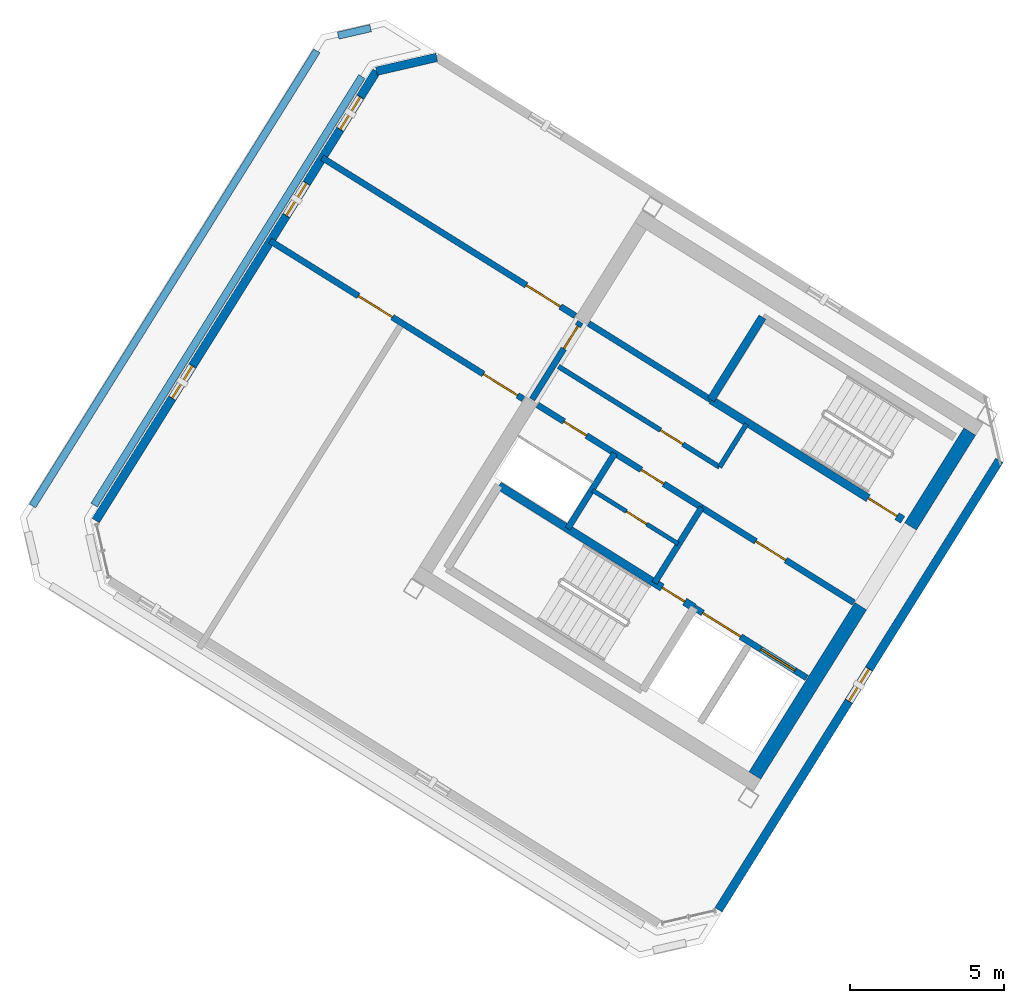
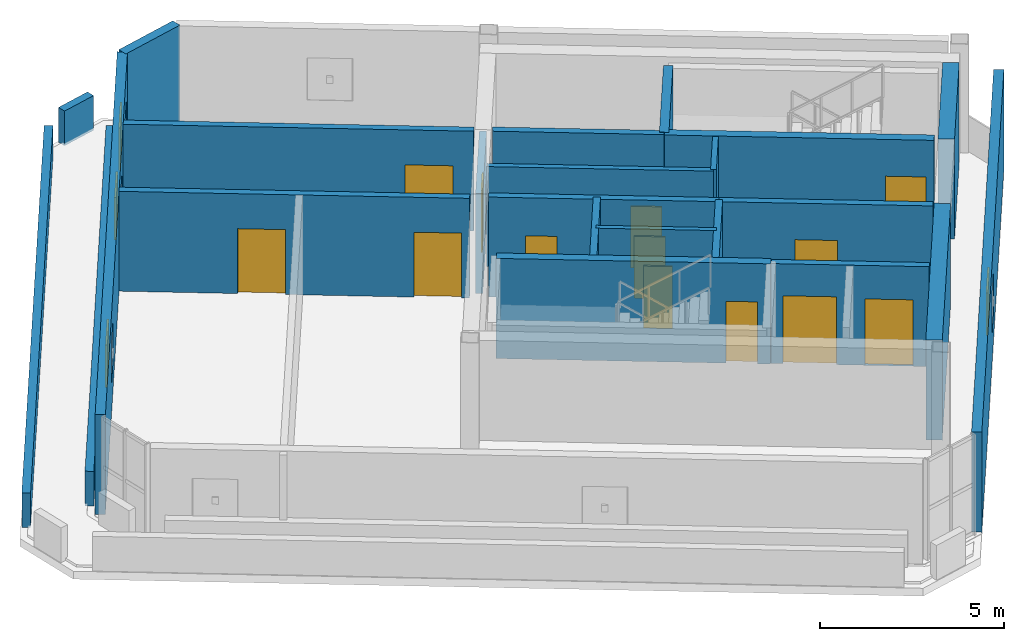
# One storey, part 5 of 8: 23 walls, 13 doors, 4 windows, 17 openings.
"""IFC4 building model written with IfcOpenShell, lengths in metres."""

from ifc_helpers import new_model, si_unit, direction, frame, frame_2d, origin, place, context, subcontext, project, spatial, rectangle, extrude, source, transform, mapped, material, layer, layer_set, type_object, element, fill, save


model = new_model("IFC4")

# Units and contexts
model_context = context("Model", 3, precision=1e-05, world=origin(), true_north=direction((0.0, 1.0)))
body_context = subcontext(model_context, "Body", "Model", "MODEL_VIEW")
ifc_project = project(units=[si_unit("LENGTHUNIT", "METRE"), si_unit("AREAUNIT", "SQUARE_METRE"), si_unit("VOLUMEUNIT", "CUBIC_METRE"), si_unit("PLANEANGLEUNIT", "RADIAN"), si_unit("MASSUNIT", "GRAM", prefix="KILO")], contexts=[model_context])

# Site, building, storey
site_placement = place(None, origin())
site = spatial("IfcSite", under=ifc_project, at=site_placement, CompositionType="ELEMENT")
building_placement = place(site_placement, origin())
building = spatial("IfcBuilding", under=site, at=building_placement, Name="Tlacorven Tower", CompositionType="ELEMENT")
storey_placement = place(building_placement, frame((0.0, 0.0, 302.39990234375)))
storey = spatial("IfcBuildingStorey", under=building, at=storey_placement, Name="L77", CompositionType="ELEMENT", Elevation=302.39990234375)

# Walls
ifc_material_1 = material(Name="Concrete C50/60", Category="concrete")
ifc_layer_1 = layer(ifc_material_1, 0.449951171875)
ifc_layer_set_1 = layer_set([ifc_layer_1], Name="Concrete C50/60")
wall_type_1 = type_object("IfcWallType", Name="WL-COR-450", PredefinedType="SHEAR", material=ifc_layer_set_1)
wall_1_placement = place(storey_placement, frame((40.220703125, 23.96484375, 0.0), z_axis=(0.0, 0.0, 1.0), x_axis=(-0.529902075036, -0.848058836916, 0.0)))
element("IfcWall", 1, at=wall_1_placement, inside=storey, type_object=wall_type_1, Name="L77 W core end wall E1.1", PredefinedType="SHEAR", context=body_context, shape_type="SweptSolid", body=[
    extrude(rectangle(XDim=3.625, YDim=0.449951171875, at=frame_2d((1.8125, 0.0))), origin(), (0.0, 0.0, 1.0), 3.320068359375),
])
wall_2_placement = place(storey_placement, frame((36.683349609375, 18.30419921875, 0.0), z_axis=(0.0, 0.0, 1.0), x_axis=(-0.529904039071, -0.848057609704, 0.0)))
element("IfcWall", 2, at=wall_2_placement, inside=storey, type_object=wall_type_1, Name="L77 W core end wall E1.2", PredefinedType="SHEAR", context=body_context, shape_type="SweptSolid", body=[
    extrude(rectangle(XDim=6.47509765625, YDim=0.449951171875, at=frame_2d((3.237548828125, 0.0))), origin(), (0.0, 0.0, 1.0), 3.320068359375),
])

# Wall, opening, door
ifc_material_2 = material(Name="Gypsum plasterboard acoustic partition", Category="gypsum")
ifc_layer_2 = layer(ifc_material_2, 0.159912109375)
ifc_layer_set_2 = layer_set([ifc_layer_2], Name="Gypsum plasterboard acoustic partition")
wall_type_2 = type_object("IfcWallType", Name="WL-DEM-160", PredefinedType="PARTITIONING", material=ifc_layer_set_2)
wall_3_placement = place(storey_placement, frame((32.108154296875, 22.81396484375, 0.0), z_axis=(0.0, 0.0, 1.0), x_axis=(-0.848047283855, 0.529920564185, 0.0)))
wall_3 = element("IfcWall", 3, at=wall_3_placement, inside=storey, type_object=wall_type_2, Name="L77 partition 11", PredefinedType="PARTITIONING", context=body_context, shape_type="SweptSolid", body=[
    extrude(rectangle(XDim=6.16015625, YDim=0.159912109375, at=frame_2d((3.080078125, 0.0))), origin(), (0.0, 0.0, 1.0), 3.31005859375),
])
opening_1_placement = place(wall_3_placement, frame((1.39990234375, 0.0, 0.0)))
opening_1 = element("IfcOpeningElement", 4, at=opening_1_placement, cuts=wall_3, Name="Opening D19", PredefinedType="OPENING", context=body_context, shape_type="SweptSolid", body=[
    extrude(rectangle(XDim=0.860107421875, YDim=2.050048828125, at=frame_2d((0.43017578125, 1.02490234375))), frame((0.0, 0.08984375, 0.0), z_axis=(0.0, -1.0, 0.0), x_axis=(1.0, 0.0, 0.0)), (0.0, 0.0, 1.0), 0.179931640625),
])
ifc_material_3 = material(Name="Fire-rated steel door assembly", Category="steel")
door_type_1 = type_object("IfcDoorType", Name="DR-RSR-FD60-0860", OperationType="NOTDEFINED", PredefinedType="DOOR", material=ifc_material_3)
shared_shape_1 = source(origin(), body_context, "Body", "SweptSolid", [
    extrude(rectangle(XDim=0.860107421875, YDim=2.050048828125, at=frame_2d((0.43017578125, 1.02490234375))), frame((0.0, 0.02490234375, 0.0), z_axis=(0.0, -1.0, 0.0), x_axis=(1.0, 0.0, 0.0)), (0.0, 0.0, 1.0), 0.050048828125),
])
door_1_placement = place(opening_1_placement, origin())
door_1 = element("IfcDoor", 5, at=door_1_placement, inside=storey, type_object=door_type_1, Name="L77 Freed Core Store Door", OperationType="SINGLE_SWING_RIGHT", OverallHeight=2.050048828125, OverallWidth=0.860107421875, PredefinedType="DOOR", context=body_context, shape_type="MappedRepresentation", body=[
    mapped(shared_shape_1, transform((0.0, 0.0, 0.0), scale=1.0)),
])
fill(opening_1, door_1)

# Wall
wall_4_placement = place(storey_placement, frame((32.982421875, 24.21337890625, 0.0), z_axis=(0.0, 0.0, 1.0), x_axis=(-0.529839334948, -0.84809803628, 0.0)))
element("IfcWall", 6, at=wall_4_placement, inside=storey, type_object=wall_type_2, Name="L77 partition 12", PredefinedType="PARTITIONING", context=body_context, shape_type="SweptSolid", body=[
    extrude(rectangle(XDim=1.650146484375, YDim=0.159912109375, at=frame_2d((0.8251953125, 0.0))), origin(), (0.0, 0.0, 1.0), 3.31005859375),
])

# Wall, opening, window
ifc_material_4 = material(Name="Precast concrete C45/55", Category="concrete")
ifc_layer_3 = layer(ifc_material_4, 0.280029296875)
ifc_layer_set_3 = layer_set([ifc_layer_3], Name="Precast concrete C45/55")
wall_type_3 = type_object("IfcWallType", Name="WL-EXT-280", PredefinedType="STANDARD", material=ifc_layer_set_3)
wall_5_placement = place(storey_placement, frame((41.181640625, 23.03076171875, 0.0), z_axis=(0.0, 0.0, 1.0), x_axis=(-0.529918482735, -0.84804858449, 0.0)))
wall_5 = element("IfcWall", 7, at=wall_5_placement, inside=storey, type_object=wall_type_3, Name="L77 Masonry-Frame Recessed Facade Wall 1", PredefinedType="STANDARD", context=body_context, shape_type="SweptSolid", body=[
    extrude(rectangle(XDim=17.18408203125, YDim=0.280029296875, at=frame_2d((8.592041015625, 0.0))), origin(), (0.0, 0.0, 1.0), 3.320068359375),
])
opening_2_placement = place(wall_5_placement, frame((7.967041015625, 0.0, 0.949951171875)))
opening_2 = element("IfcOpeningElement", 8, at=opening_2_placement, cuts=wall_5, Name="Opening WN20", PredefinedType="OPENING", context=body_context, shape_type="SweptSolid", body=[
    extrude(rectangle(XDim=1.25, YDim=1.39990234375, at=frame_2d((0.625, 0.699951171875))), frame((0.0, 0.14990234375, 0.0), z_axis=(0.0, -1.0, 0.0), x_axis=(1.0, 0.0, 0.0)), (0.0, 0.0, 1.0), 0.300048828125),
])
ifc_material_5 = material(Name="Dark solar low-E double glazing in anodised aluminium frame", Category="aluminium")
window_type = type_object("IfcWindowType", Name="WN-CRN-1250X1500", PartitioningType="SINGLE_PANEL", PredefinedType="WINDOW", material=ifc_material_5)
shared_shape_2 = source(origin(), body_context, "Body", "SweptSolid", [
    extrude(rectangle(XDim=1.25, YDim=1.39990234375, at=frame_2d((0.625, 0.699951171875))), frame((0.0, 0.030029296875, 0.0), z_axis=(0.0, -1.0, 0.0), x_axis=(1.0, 0.0, 0.0)), (0.0, 0.0, 1.0), 0.06005859375),
])
window_1_placement = place(opening_2_placement, origin())
window_1 = element("IfcWindow", 9, at=window_1_placement, inside=storey, type_object=window_type, Name="L77 Acoustic Plant Facade Window 1.1", OverallHeight=1.39990234375, OverallWidth=1.25, PartitioningType="SINGLE_PANEL", PredefinedType="WINDOW", context=body_context, shape_type="MappedRepresentation", body=[
    mapped(shared_shape_2, transform((0.0, 0.0, 0.0), scale=1.0)),
])
fill(opening_2, window_1)

# Wall, openings, windows
wall_6_placement = place(storey_placement, frame((11.875, 21.08056640625, 0.0), z_axis=(0.0, 0.0, 1.0), x_axis=(0.529924867514, 0.848044594812, 0.0)))
wall_6 = element("IfcWall", 10, at=wall_6_placement, inside=storey, type_object=wall_type_3, Name="L77 Masonry-Frame Recessed Facade Wall 3", PredefinedType="STANDARD", context=body_context, shape_type="SweptSolid", body=[
    extrude(rectangle(XDim=17.183837890625, YDim=0.280029296875, at=frame_2d((8.591796875, 0.0))), origin(), (0.0, 0.0, 1.0), 3.320068359375),
])
opening_3_placement = place(wall_6_placement, frame((4.6708984375, 0.0, 0.949951171875)))
opening_3 = element("IfcOpeningElement", 11, at=opening_3_placement, cuts=wall_6, Name="Opening WN20", PredefinedType="OPENING", context=body_context, shape_type="SweptSolid", body=[
    extrude(rectangle(XDim=1.25, YDim=1.39990234375, at=frame_2d((0.625, 0.699951171875))), frame((0.0, 0.14990234375, 0.0), z_axis=(0.0, -1.0, 0.0), x_axis=(1.0, 0.0, 0.0)), (0.0, 0.0, 1.0), 0.300048828125),
])
opening_4_placement = place(wall_6_placement, frame((11.656982421875, 0.0, 0.949951171875)))
opening_4 = element("IfcOpeningElement", 12, at=opening_4_placement, cuts=wall_6, Name="Opening WN20", PredefinedType="OPENING", context=body_context, shape_type="SweptSolid", body=[
    extrude(rectangle(XDim=1.25, YDim=1.39990234375, at=frame_2d((0.625, 0.699951171875))), frame((0.0, 0.14990234375, 0.0), z_axis=(0.0, -1.0, 0.0), x_axis=(1.0, 0.0, 0.0)), (0.0, 0.0, 1.0), 0.300048828125),
])
opening_5_placement = place(wall_6_placement, frame((14.952880859375, 0.0, 0.949951171875)))
opening_5 = element("IfcOpeningElement", 13, at=opening_5_placement, cuts=wall_6, Name="Opening WN20", PredefinedType="OPENING", context=body_context, shape_type="SweptSolid", body=[
    extrude(rectangle(XDim=1.25, YDim=1.39990234375, at=frame_2d((0.625, 0.699951171875))), frame((0.0, 0.14990234375, 0.0), z_axis=(0.0, -1.0, 0.0), x_axis=(1.0, 0.0, 0.0)), (0.0, 0.0, 1.0), 0.300048828125),
])
window_2_placement = place(opening_3_placement, origin())
window_2 = element("IfcWindow", 14, at=window_2_placement, inside=storey, type_object=window_type, Name="L77 Acoustic Plant Facade Window 3.1", OverallHeight=1.39990234375, OverallWidth=1.25, PartitioningType="SINGLE_PANEL", PredefinedType="WINDOW", context=body_context, shape_type="MappedRepresentation", body=[
    mapped(shared_shape_2, transform((0.0, 0.0, 0.0), scale=1.0)),
])
fill(opening_3, window_2)
window_3_placement = place(opening_4_placement, origin())
window_3 = element("IfcWindow", 15, at=window_3_placement, inside=storey, type_object=window_type, Name="L77 Acoustic Plant Facade Window 3.2", OverallHeight=1.39990234375, OverallWidth=1.25, PartitioningType="SINGLE_PANEL", PredefinedType="WINDOW", context=body_context, shape_type="MappedRepresentation", body=[
    mapped(shared_shape_2, transform((0.0, 0.0, 0.0), scale=1.0)),
])
fill(opening_4, window_3)
window_4_placement = place(opening_5_placement, origin())
window_4 = element("IfcWindow", 16, at=window_4_placement, inside=storey, type_object=window_type, Name="L77 Acoustic Plant Facade Window 3.3", OverallHeight=1.39990234375, OverallWidth=1.25, PartitioningType="SINGLE_PANEL", PredefinedType="WINDOW", context=body_context, shape_type="MappedRepresentation", body=[
    mapped(shared_shape_2, transform((0.0, 0.0, 0.0), scale=1.0)),
])
fill(opening_5, window_4)

# Walls
wall_7_placement = place(storey_placement, frame((20.981201171875, 35.6533203125, 0.0), z_axis=(0.0, 0.0, 1.0), x_axis=(0.974360407225, 0.224992881738, 0.0)))
element("IfcWall", 17, at=wall_7_placement, inside=storey, type_object=wall_type_3, Name="L77 Masonry-Frame Recessed Facade Wall 4", PredefinedType="STANDARD", context=body_context, shape_type="SweptSolid", body=[
    extrude(rectangle(XDim=2.00537109375, YDim=0.280029296875, at=frame_2d((1.002685546875, 0.0))), origin(), (0.0, 0.0, 1.0), 3.320068359375),
])
ifc_layer_4 = layer(ifc_material_4, 0.239990234375)
ifc_layer_set_4 = layer_set([ifc_layer_4], Name="Precast concrete C45/55")
wall_type_4 = type_object("IfcWallType", Name="WL-PAR-240", PredefinedType="PARAPET", material=ifc_layer_set_4)
wall_8_placement = place(storey_placement, frame((9.823974609375, 21.553466796875, 0.0), z_axis=(0.0, 0.0, 1.0), x_axis=(0.529923289052, 0.848045581157, 0.0)))
element("IfcWall", 18, at=wall_8_placement, inside=storey, type_object=wall_type_4, Name="L77 Stepped Crown Terrace Parapet 1 4", PredefinedType="PARAPET", context=body_context, shape_type="SweptSolid", body=[
    extrude(rectangle(XDim=17.405517578125, YDim=0.239990234375, at=frame_2d((8.70263671875, 0.0))), origin(), (0.0, 0.0, 1.0), 1.150146484375),
])
wall_9_placement = place(storey_placement, frame((19.739501953125, 36.807861328125, 0.0), z_axis=(0.0, 0.0, 1.0), x_axis=(0.974395015602, 0.224842953123, 0.0)))
element("IfcWall", 19, at=wall_9_placement, inside=storey, type_object=wall_type_4, Name="L77 Stepped Crown Terrace Parapet 1 5", PredefinedType="PARAPET", context=body_context, shape_type="SweptSolid", body=[
    extrude(rectangle(XDim=1.0771484375, YDim=0.239990234375, at=frame_2d((0.53857421875, 0.0))), origin(), (0.0, 0.0, 1.0), 1.150146484375),
])
wall_10_placement = place(storey_placement, frame((20.507080078125, 35.479736328125, 0.0), z_axis=(0.0, 0.0, 1.0), x_axis=(-0.529914569967, -0.848051029442, 0.0)))
element("IfcWall", 20, at=wall_10_placement, inside=storey, type_object=wall_type_4, Name="L77 Stepped Crown Terrace Parapet 1 6", PredefinedType="PARAPET", context=body_context, shape_type="SweptSolid", body=[
    extrude(rectangle(XDim=16.38720703125, YDim=0.239990234375, at=frame_2d((8.193603515625, 0.0))), origin(), (0.0, 0.0, 1.0), 1.150146484375),
])

# Wall, opening, door
ifc_material_6 = material(Name="Moisture-resistant gypsum plumbing wall", Category="gypsum")
ifc_layer_5 = layer(ifc_material_6, 0.139892578125)
ifc_layer_set_5 = layer_set([ifc_layer_5], Name="Moisture-resistant gypsum plumbing wall")
wall_type_5 = type_object("IfcWallType", Name="WL-PLM-140", PredefinedType="PLUMBINGWALL", material=ifc_layer_set_5)
wall_11_placement = place(storey_placement, frame((30.766357421875, 20.3271484375, 0.0), z_axis=(0.0, 0.0, 1.0), x_axis=(-0.848052663127, 0.529911955482, 0.0)))
wall_11 = element("IfcWall", 21, at=wall_11_placement, inside=storey, type_object=wall_type_5, Name="L77 partition 17", PredefinedType="PLUMBINGWALL", context=body_context, shape_type="SweptSolid", body=[
    extrude(rectangle(XDim=3.27978515625, YDim=0.139892578125, at=frame_2d((1.639892578125, 0.0))), origin(), (0.0, 0.0, 1.0), 3.31005859375),
])
opening_6_placement = place(wall_11_placement, frame((1.199951171875, 0.0, 0.0)))
opening_6 = element("IfcOpeningElement", 22, at=opening_6_placement, cuts=wall_11, Name="Opening D22", PredefinedType="OPENING", context=body_context, shape_type="SweptSolid", body=[
    extrude(rectangle(XDim=0.780029296875, YDim=2.050048828125, at=frame_2d((0.39013671875, 1.02490234375))), frame((0.0, 0.080078125, 0.0), z_axis=(0.0, -1.0, 0.0), x_axis=(1.0, 0.0, 0.0)), (0.0, 0.0, 1.0), 0.159912109375),
])
ifc_material_7 = material(Name="Powder-coated aluminium and timber door", Category="wood")
door_type_2 = type_object("IfcDoorType", Name="DR-INT-WET-0780", OperationType="NOTDEFINED", PredefinedType="DOOR", material=ifc_material_7)
shared_shape_3 = source(origin(), body_context, "Body", "SweptSolid", [
    extrude(rectangle(XDim=0.780029296875, YDim=2.050048828125, at=frame_2d((0.39013671875, 1.02490234375))), frame((0.0, 0.02490234375, 0.0), z_axis=(0.0, -1.0, 0.0), x_axis=(1.0, 0.0, 0.0)), (0.0, 0.0, 1.0), 0.050048828125),
])
door_2_placement = place(opening_6_placement, origin())
door_2 = element("IfcDoor", 23, at=door_2_placement, inside=storey, type_object=door_type_2, Name="L77 door 009", OperationType="SINGLE_SWING_LEFT", OverallHeight=2.050048828125, OverallWidth=0.780029296875, PredefinedType="DOOR", context=body_context, shape_type="MappedRepresentation", body=[
    mapped(shared_shape_3, transform((0.0, 0.0, 0.0), scale=1.0)),
])
fill(opening_6, door_2)

# Wall, openings, doors
ifc_material_8 = material(Name="Concrete C40/50", Category="concrete")
ifc_layer_6 = layer(ifc_material_8, 0.199951171875)
ifc_layer_set_6 = layer_set([ifc_layer_6], Name="Concrete C40/50")
wall_type_6 = type_object("IfcWallType", Name="WL-SHF-200", PredefinedType="STANDARD", material=ifc_layer_set_6)
wall_12_placement = place(storey_placement, frame((34.93310546875, 15.978271484375, 0.0), z_axis=(0.0, 0.0, 1.0), x_axis=(-0.848055739377, 0.529907032327, 0.0)))
wall_12 = element("IfcWall", 24, at=wall_12_placement, inside=storey, type_object=wall_type_6, Name="L77 Core W Firefighting Lift Shaft Front Wall", PredefinedType="STANDARD", context=body_context, shape_type="SweptSolid", body=[
    extrude(rectangle(XDim=4.298095703125, YDim=0.199951171875, at=frame_2d((2.14892578125, 0.0))), origin(), (0.0, 0.0, 1.0), 3.31005859375),
])
opening_7_placement = place(wall_12_placement, frame((0.447998046875, 0.0, 0.0)))
opening_7 = element("IfcOpeningElement", 25, at=opening_7_placement, cuts=wall_12, Name="Opening LD03", PredefinedType="OPENING", context=body_context, shape_type="SweptSolid", body=[
    extrude(rectangle(XDim=1.300048828125, YDim=2.199951171875, at=frame_2d((0.64990234375, 1.10009765625))), frame((0.0, 0.10986328125, 0.0), z_axis=(0.0, -1.0, 0.0), x_axis=(1.0, 0.0, 0.0)), (0.0, 0.0, 1.0), 0.219970703125),
])
opening_8_placement = place(wall_12_placement, frame((2.52294921875, 0.0, 0.0)))
opening_8 = element("IfcOpeningElement", 26, at=opening_8_placement, cuts=wall_12, Name="Opening LD04", PredefinedType="OPENING", context=body_context, shape_type="SweptSolid", body=[
    extrude(rectangle(XDim=1.449951171875, YDim=2.25, at=frame_2d((0.72509765625, 1.125))), frame((0.0, 0.10986328125, 0.0), z_axis=(0.0, -1.0, 0.0), x_axis=(1.0, 0.0, 0.0)), (0.0, 0.0, 1.0), 0.219970703125),
])
door_type_3 = type_object("IfcDoorType", Name="DR-LFT-SLID-1300", OperationType="DOUBLE_DOOR_SLIDING", PredefinedType="DOOR", material=ifc_material_3)
shared_shape_4 = source(origin(), body_context, "Body", "SweptSolid", [
    extrude(rectangle(XDim=1.300048828125, YDim=2.199951171875, at=frame_2d((0.64990234375, 1.10009765625))), frame((0.0, 0.02490234375, 0.0), z_axis=(0.0, -1.0, 0.0), x_axis=(1.0, 0.0, 0.0)), (0.0, 0.0, 1.0), 0.050048828125),
])
door_3_placement = place(opening_7_placement, origin())
door_3 = element("IfcDoor", 27, at=door_3_placement, inside=storey, type_object=door_type_3, Name="L77 Lift FFL-W1 Sliding Landing Door", OperationType="DOUBLE_DOOR_SLIDING", OverallHeight=2.199951171875, OverallWidth=1.300048828125, PredefinedType="DOOR", context=body_context, shape_type="MappedRepresentation", body=[
    mapped(shared_shape_4, transform((0.0, 0.0, 0.0), scale=1.0)),
])
fill(opening_7, door_3)
door_type_4 = type_object("IfcDoorType", Name="DR-LFT-SLID-1450", OperationType="DOUBLE_DOOR_SLIDING", PredefinedType="DOOR", material=ifc_material_3)
shared_shape_5 = source(origin(), body_context, "Body", "SweptSolid", [
    extrude(rectangle(XDim=1.449951171875, YDim=2.25, at=frame_2d((0.72509765625, 1.125))), frame((0.0, 0.02490234375, 0.0), z_axis=(0.0, -1.0, 0.0), x_axis=(1.0, 0.0, 0.0)), (0.0, 0.0, 1.0), 0.050048828125),
])
door_4_placement = place(opening_8_placement, origin())
door_4 = element("IfcDoor", 28, at=door_4_placement, inside=storey, type_object=door_type_4, Name="L77 Lift SVL-W1 Sliding Landing Door", OperationType="DOUBLE_DOOR_SLIDING", OverallHeight=2.25, OverallWidth=1.449951171875, PredefinedType="DOOR", context=body_context, shape_type="MappedRepresentation", body=[
    mapped(shared_shape_5, transform((0.0, 0.0, 0.0), scale=1.0)),
])
fill(opening_8, door_4)

# Wall, opening, door
wall_13_placement = place(storey_placement, frame((36.459228515625, 18.420654296875, 0.0), z_axis=(0.0, 0.0, 1.0), x_axis=(-0.848059591691, 0.529900867089, 0.0)))
wall_13 = element("IfcWall", 29, at=wall_13_placement, inside=storey, type_object=wall_type_6, Name="L77 Core W Smoke Lobby Wall", PredefinedType="STANDARD", context=body_context, shape_type="SweptSolid", body=[
    extrude(rectangle(XDim=5.818115234375, YDim=0.199951171875, at=frame_2d((2.9091796875, 0.0))), origin(), (0.0, 0.0, 1.0), 3.31005859375),
])
opening_9_placement = place(wall_13_placement, frame((2.597900390625, 0.0, 0.0)))
opening_9 = element("IfcOpeningElement", 30, at=opening_9_placement, cuts=wall_13, Name="Opening D09", PredefinedType="OPENING", context=body_context, shape_type="SweptSolid", body=[
    extrude(rectangle(XDim=1.14990234375, YDim=2.10009765625, at=frame_2d((0.574951171875, 1.050048828125))), frame((0.0, 0.10986328125, 0.0), z_axis=(0.0, -1.0, 0.0), x_axis=(1.0, 0.0, 0.0)), (0.0, 0.0, 1.0), 0.219970703125),
])
door_type_5 = type_object("IfcDoorType", Name="DR-FFL-FD60-1150", OperationType="NOTDEFINED", PredefinedType="DOOR", material=ifc_material_3)
shared_shape_6 = source(origin(), body_context, "Body", "SweptSolid", [
    extrude(rectangle(XDim=1.14990234375, YDim=2.10009765625, at=frame_2d((0.574951171875, 1.050048828125))), frame((0.0, 0.02490234375, 0.0), z_axis=(0.0, -1.0, 0.0), x_axis=(1.0, 0.0, 0.0)), (0.0, 0.0, 1.0), 0.050048828125),
])
door_5_placement = place(opening_9_placement, origin())
door_5 = element("IfcDoor", 31, at=door_5_placement, inside=storey, type_object=door_type_5, Name="L77 Firefighting Lobby W Fire Door", OperationType="SINGLE_SWING_RIGHT", OverallHeight=2.10009765625, OverallWidth=1.14990234375, PredefinedType="DOOR", context=body_context, shape_type="MappedRepresentation", body=[
    mapped(shared_shape_6, transform((0.0, 0.0, 0.0), scale=1.0)),
])
fill(opening_9, door_5)

# Walls
wall_14_placement = place(storey_placement, frame((31.82177734375, 24.99755859375, 0.0), z_axis=(0.0, 0.0, 1.0), x_axis=(-0.848054125777, 0.529909614701, 0.0)))
element("IfcWall", 32, at=wall_14_placement, inside=storey, type_object=wall_type_6, Name="L77 Core W South Lift Shaft Wall", PredefinedType="STANDARD", context=body_context, shape_type="SweptSolid", body=[
    extrude(rectangle(XDim=4.66796875, YDim=0.199951171875, at=frame_2d((2.333984375, 0.0))), origin(), (0.0, 0.0, 1.0), 3.31005859375),
])
for number, where, z_axis, x_axis, name in (
    (33, (31.525146484375, 21.503662109375, 0.0), (0.0, 0.0, 1.0), (-0.529907497854, -0.848055448493, 0.0), "L77 partition 14"),
    (34, (28.709716796875, 23.26318359375, 0.0), (0.0, 0.0, 1.0), (-0.529907497854, -0.848055448493, 0.0), "L77 partition 15"),
):
    element("IfcWall", number, at=place(storey_placement, frame(where, z_axis=z_axis, x_axis=x_axis)), inside=storey, type_object=wall_type_6, Name=name, PredefinedType="STANDARD", context=body_context, shape_type="SweptSolid", body=[
        extrude(rectangle(XDim=2.8798828125, YDim=0.199951171875, at=frame_2d((1.43994140625, 0.0))), origin(), (0.0, 0.0, 1.0), 3.31005859375),
    ])

# Wall, openings, doors
wall_15_placement = place(storey_placement, frame((31.525146484375, 21.503662109375, 0.0), z_axis=(0.0, 0.0, 1.0), x_axis=(-0.848042066329, 0.529928913853, 0.0)))
wall_15 = element("IfcWall", 35, at=wall_15_placement, inside=storey, type_object=wall_type_6, Name="L77 Core W North Service Wall", PredefinedType="STANDARD", context=body_context, shape_type="SweptSolid", body=[
    extrude(rectangle(XDim=6.267822265625, YDim=0.199951171875, at=frame_2d((3.1337890625, 0.0))), origin(), (0.0, 0.0, 1.0), 3.31005859375),
])
opening_10_placement = place(wall_15_placement, frame((4.39990234375, 0.0, 0.0)))
opening_10 = element("IfcOpeningElement", 36, at=opening_10_placement, cuts=wall_15, Name="Opening D19", PredefinedType="OPENING", context=body_context, shape_type="SweptSolid", body=[
    extrude(rectangle(XDim=0.860107421875, YDim=2.050048828125, at=frame_2d((0.43017578125, 1.02490234375))), frame((0.0, 0.10986328125, 0.0), z_axis=(0.0, -1.0, 0.0), x_axis=(1.0, 0.0, 0.0)), (0.0, 0.0, 1.0), 0.219970703125),
])
opening_11_placement = place(wall_15_placement, frame((1.449951171875, 0.0, 0.0)))
opening_11 = element("IfcOpeningElement", 37, at=opening_11_placement, cuts=wall_15, Name="Opening D19", PredefinedType="OPENING", context=body_context, shape_type="SweptSolid", body=[
    extrude(rectangle(XDim=0.860107421875, YDim=2.050048828125, at=frame_2d((0.43017578125, 1.02490234375))), frame((0.0, 0.10986328125, 0.0), z_axis=(0.0, -1.0, 0.0), x_axis=(1.0, 0.0, 0.0)), (0.0, 0.0, 1.0), 0.219970703125),
])
door_6_placement = place(opening_10_placement, frame((0.860107421875, 0.0, 0.0), z_axis=(0.0, 0.0, 1.0), x_axis=(-1.0, 0.0, 0.0)))
door_6 = element("IfcDoor", 38, at=door_6_placement, inside=storey, type_object=door_type_1, Name="L77 Electrical Riser Access Door W", OperationType="SINGLE_SWING_LEFT", OverallHeight=2.050048828125, OverallWidth=0.860107421875, PredefinedType="DOOR", context=body_context, shape_type="MappedRepresentation", body=[
    mapped(shared_shape_1, transform((0.0, 0.0, 0.0), scale=1.0)),
])
fill(opening_10, door_6)
door_7_placement = place(opening_11_placement, frame((0.860107421875, 0.0, 0.0), z_axis=(0.0, 0.0, 1.0), x_axis=(-1.0, 0.0, 0.0)))
door_7 = element("IfcDoor", 39, at=door_7_placement, inside=storey, type_object=door_type_1, Name="L77 Cleaner Store Access Door W", OperationType="SINGLE_SWING_RIGHT", OverallHeight=2.050048828125, OverallWidth=0.860107421875, PredefinedType="DOOR", context=body_context, shape_type="MappedRepresentation", body=[
    mapped(shared_shape_1, transform((0.0, 0.0, 0.0), scale=1.0)),
])
fill(opening_11, door_7)

# Wall, opening, door
wall_16_placement = place(storey_placement, frame((27.59619140625, 27.52001953125, 0.0), z_axis=(0.0, 0.0, 1.0), x_axis=(-0.529865479138, -0.848081702443, 0.0)))
wall_16 = element("IfcWall", 40, at=wall_16_placement, inside=storey, type_object=wall_type_6, Name="L77 partition 18", PredefinedType="STANDARD", context=body_context, shape_type="SweptSolid", body=[
    extrude(rectangle(XDim=2.9599609375, YDim=0.199951171875, at=frame_2d((1.47998046875, 0.0))), origin(), (0.0, 0.0, 1.0), 3.31005859375),
])
opening_12_placement = place(wall_16_placement, frame((0.159912109375, 0.0, 0.0)))
opening_12 = element("IfcOpeningElement", 41, at=opening_12_placement, cuts=wall_16, Name="Opening D19", PredefinedType="OPENING", context=body_context, shape_type="SweptSolid", body=[
    extrude(rectangle(XDim=0.860107421875, YDim=2.050048828125, at=frame_2d((0.43017578125, 1.02490234375))), frame((0.0, 0.10986328125, 0.0), z_axis=(0.0, -1.0, 0.0), x_axis=(1.0, 0.0, 0.0)), (0.0, 0.0, 1.0), 0.219970703125),
])
door_8_placement = place(opening_12_placement, origin())
door_8 = element("IfcDoor", 42, at=door_8_placement, inside=storey, type_object=door_type_1, Name="L77 door 010", OperationType="SINGLE_SWING_LEFT", OverallHeight=2.050048828125, OverallWidth=0.860107421875, PredefinedType="DOOR", context=body_context, shape_type="MappedRepresentation", body=[
    mapped(shared_shape_1, transform((0.0, 0.0, 0.0), scale=1.0)),
])
fill(opening_12, door_8)

# Wall, openings, doors
wall_17_placement = place(storey_placement, frame((25.73974609375, 25.024658203125, 0.0), z_axis=(0.0, 0.0, 1.0), x_axis=(-0.848050737672, 0.529915036902, 0.0)))
wall_17 = element("IfcWall", 43, at=wall_17_placement, inside=storey, type_object=wall_type_6, Name="L77 partition 19", PredefinedType="STANDARD", context=body_context, shape_type="SweptSolid", body=[
    extrude(rectangle(XDim=9.677734375, YDim=0.199951171875, at=frame_2d((4.8388671875, 0.0))), origin(), (0.0, 0.0, 1.0), 3.31005859375),
])
opening_13_placement = place(wall_17_placement, frame((0.218017578125, 0.0, 0.0)))
opening_13 = element("IfcOpeningElement", 44, at=opening_13_placement, cuts=wall_17, Name="Opening D18", PredefinedType="OPENING", context=body_context, shape_type="SweptSolid", body=[
    extrude(rectangle(XDim=1.300048828125, YDim=2.14990234375, at=frame_2d((0.64990234375, 1.074951171875))), frame((0.0, 0.10986328125, 0.0), z_axis=(0.0, -1.0, 0.0), x_axis=(1.0, 0.0, 0.0)), (0.0, 0.0, 1.0), 0.219970703125),
])
opening_14_placement = place(wall_17_placement, frame((5.0029296875, 0.0, 0.0)))
opening_14 = element("IfcOpeningElement", 45, at=opening_14_placement, cuts=wall_17, Name="Opening D18", PredefinedType="OPENING", context=body_context, shape_type="SweptSolid", body=[
    extrude(rectangle(XDim=1.300048828125, YDim=2.14990234375, at=frame_2d((0.64990234375, 1.074951171875))), frame((0.0, 0.10986328125, 0.0), z_axis=(0.0, -1.0, 0.0), x_axis=(1.0, 0.0, 0.0)), (0.0, 0.0, 1.0), 0.219970703125),
])
door_type_6 = type_object("IfcDoorType", Name="DR-MEP-FD60-1300", OperationType="DOUBLE_DOOR_SINGLE_SWING", PredefinedType="DOOR", material=ifc_material_3)
shared_shape_7 = source(origin(), body_context, "Body", "SweptSolid", [
    extrude(rectangle(XDim=1.300048828125, YDim=2.14990234375, at=frame_2d((0.64990234375, 1.074951171875))), frame((0.0, 0.02490234375, 0.0), z_axis=(0.0, -1.0, 0.0), x_axis=(1.0, 0.0, 0.0)), (0.0, 0.0, 1.0), 0.050048828125),
])
door_9_placement = place(opening_13_placement, origin())
door_9 = element("IfcDoor", 46, at=door_9_placement, inside=storey, type_object=door_type_6, Name="L77 door 011", OperationType="DOUBLE_DOOR_SINGLE_SWING", OverallHeight=2.14990234375, OverallWidth=1.300048828125, PredefinedType="DOOR", context=body_context, shape_type="MappedRepresentation", body=[
    mapped(shared_shape_7, transform((0.0, 0.0, 0.0), scale=1.0)),
])
fill(opening_13, door_9)
door_10_placement = place(opening_14_placement, origin())
door_10 = element("IfcDoor", 47, at=door_10_placement, inside=storey, type_object=door_type_6, Name="L77 door 012", OperationType="DOUBLE_DOOR_SINGLE_SWING", OverallHeight=2.14990234375, OverallWidth=1.300048828125, PredefinedType="DOOR", context=body_context, shape_type="MappedRepresentation", body=[
    mapped(shared_shape_7, transform((0.0, 0.0, 0.0), scale=1.0)),
])
fill(opening_14, door_10)

# Wall, opening, door
wall_18_placement = place(storey_placement, frame((27.425048828125, 27.721435546875, 0.0), z_axis=(0.0, 0.0, 1.0), x_axis=(-0.848057821392, 0.529903700285, 0.0)))
wall_18 = element("IfcWall", 48, at=wall_18_placement, inside=storey, type_object=wall_type_6, Name="L77 partition 21", PredefinedType="STANDARD", context=body_context, shape_type="SweptSolid", body=[
    extrude(rectangle(XDim=9.677978515625, YDim=0.199951171875, at=frame_2d((4.8388671875, 0.0))), origin(), (0.0, 0.0, 1.0), 3.31005859375),
])
opening_15_placement = place(wall_18_placement, frame((0.568115234375, 0.0, 0.0)))
opening_15 = element("IfcOpeningElement", 49, at=opening_15_placement, cuts=wall_18, Name="Opening D18", PredefinedType="OPENING", context=body_context, shape_type="SweptSolid", body=[
    extrude(rectangle(XDim=1.300048828125, YDim=2.14990234375, at=frame_2d((0.64990234375, 1.074951171875))), frame((0.0, 0.10986328125, 0.0), z_axis=(0.0, -1.0, 0.0), x_axis=(1.0, 0.0, 0.0)), (0.0, 0.0, 1.0), 0.219970703125),
])
door_11_placement = place(opening_15_placement, frame((1.300048828125, 0.0, 0.0), z_axis=(0.0, 0.0, 1.0), x_axis=(-1.0, 0.0, 0.0)))
door_11 = element("IfcDoor", 50, at=door_11_placement, inside=storey, type_object=door_type_6, Name="L77 door 013", OperationType="DOUBLE_DOOR_SINGLE_SWING", OverallHeight=2.14990234375, OverallWidth=1.300048828125, PredefinedType="DOOR", context=body_context, shape_type="MappedRepresentation", body=[
    mapped(shared_shape_7, transform((0.0, 0.0, 0.0), scale=1.0)),
])
fill(opening_15, door_11)

ifc_layer_7 = layer(ifc_material_1, 0.260009765625)
ifc_layer_set_7 = layer_set([ifc_layer_7], Name="Concrete C50/60")
wall_type_7 = type_object("IfcWallType", Name="WL-STW-260", PredefinedType="SHEAR", material=ifc_layer_set_7)
wall_19_placement = place(storey_placement, frame((31.279541015625, 18.26123046875, 0.0), z_axis=(0.0, 0.0, 1.0), x_axis=(-0.848051618787, 0.529913626805, 0.0)))
wall_19 = element("IfcWall", 51, at=wall_19_placement, inside=storey, type_object=wall_type_7, Name="L77 Stair W1 Lobby Shear Wall", PredefinedType="SHEAR", context=body_context, shape_type="SweptSolid", body=[
    extrude(rectangle(XDim=7.4599609375, YDim=0.260009765625, at=frame_2d((3.72998046875, 0.0))), origin(), (0.0, 0.0, 1.0), 3.320068359375),
])
opening_16_placement = place(wall_19_placement, frame((0.360107421875, 0.0, 0.0)))
opening_16 = element("IfcOpeningElement", 52, at=opening_16_placement, cuts=wall_19, Name="Opening D19", PredefinedType="OPENING", context=body_context, shape_type="SweptSolid", body=[
    extrude(rectangle(XDim=0.860107421875, YDim=2.050048828125, at=frame_2d((0.43017578125, 1.02490234375))), frame((0.0, 0.14013671875, 0.0), z_axis=(0.0, -1.0, 0.0), x_axis=(1.0, 0.0, 0.0)), (0.0, 0.0, 1.0), 0.280029296875),
])
door_12_placement = place(opening_16_placement, frame((0.860107421875, 0.0, 0.0), z_axis=(0.0, 0.0, 1.0), x_axis=(-1.0, 0.0, 0.0)))
door_12 = element("IfcDoor", 53, at=door_12_placement, inside=storey, type_object=door_type_1, Name="L77 Exit Stair W1 Fire Door", OperationType="SINGLE_SWING_LEFT", OverallHeight=2.050048828125, OverallWidth=0.860107421875, PredefinedType="DOOR", context=body_context, shape_type="MappedRepresentation", body=[
    mapped(shared_shape_1, transform((0.0, 0.0, 0.0), scale=1.0)),
])
fill(opening_16, door_12)

wall_20_placement = place(storey_placement, frame((38.04638671875, 21.10791015625, 0.0), z_axis=(0.0, 0.0, 1.0), x_axis=(-0.848054434086, 0.529909121291, 0.0)))
wall_20 = element("IfcWall", 54, at=wall_20_placement, inside=storey, type_object=wall_type_7, Name="L77 Stair W2 Lobby Shear Wall", PredefinedType="SHEAR", context=body_context, shape_type="SweptSolid", body=[
    extrude(rectangle(XDim=7.330078125, YDim=0.260009765625, at=frame_2d((3.6650390625, 0.0))), origin(), (0.0, 0.0, 1.0), 3.320068359375),
])
opening_17_placement = place(wall_20_placement, frame((0.219970703125, 0.0, 0.0)))
opening_17 = element("IfcOpeningElement", 55, at=opening_17_placement, cuts=wall_20, Name="Opening D07", PredefinedType="OPENING", context=body_context, shape_type="SweptSolid", body=[
    extrude(rectangle(XDim=1.10009765625, YDim=2.10009765625, at=frame_2d((0.550048828125, 1.050048828125))), frame((0.0, 0.14013671875, 0.0), z_axis=(0.0, -1.0, 0.0), x_axis=(1.0, 0.0, 0.0)), (0.0, 0.0, 1.0), 0.280029296875),
])
door_type_7 = type_object("IfcDoorType", Name="DR-STR-FD90-1100", OperationType="NOTDEFINED", PredefinedType="DOOR", material=ifc_material_3)
shared_shape_8 = source(origin(), body_context, "Body", "SweptSolid", [
    extrude(rectangle(XDim=1.10009765625, YDim=2.10009765625, at=frame_2d((0.550048828125, 1.050048828125))), frame((0.0, 0.02490234375, 0.0), z_axis=(0.0, -1.0, 0.0), x_axis=(1.0, 0.0, 0.0)), (0.0, 0.0, 1.0), 0.050048828125),
])
door_13_placement = place(opening_17_placement, origin())
door_13 = element("IfcDoor", 56, at=door_13_placement, inside=storey, type_object=door_type_7, Name="L77 Exit Stair W2 Fire Door", OperationType="SINGLE_SWING_LEFT", OverallHeight=2.10009765625, OverallWidth=1.10009765625, PredefinedType="DOOR", context=body_context, shape_type="MappedRepresentation", body=[
    mapped(shared_shape_8, transform((0.0, 0.0, 0.0), scale=1.0)),
])
fill(opening_17, door_13)

# Wall
wall_21_placement = place(storey_placement, frame((33.496337890625, 27.677490234375, 0.0), z_axis=(0.0, 0.0, 1.0), x_axis=(-0.529908658664, -0.84805472316, 0.0)))
element("IfcWall", 57, at=wall_21_placement, inside=storey, type_object=wall_type_7, Name="L77 Stair W2 East Shear Wall", PredefinedType="SHEAR", context=body_context, shape_type="SweptSolid", body=[
    extrude(rectangle(XDim=3.16015625, YDim=0.260009765625, at=frame_2d((1.580078125, 0.0))), origin(), (0.0, 0.0, 1.0), 3.320068359375),
])

save(model, "model.ifc")
